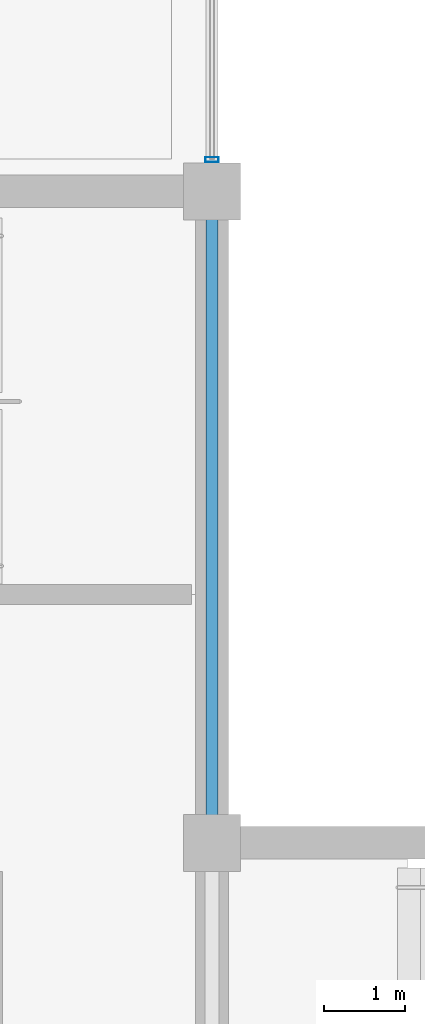
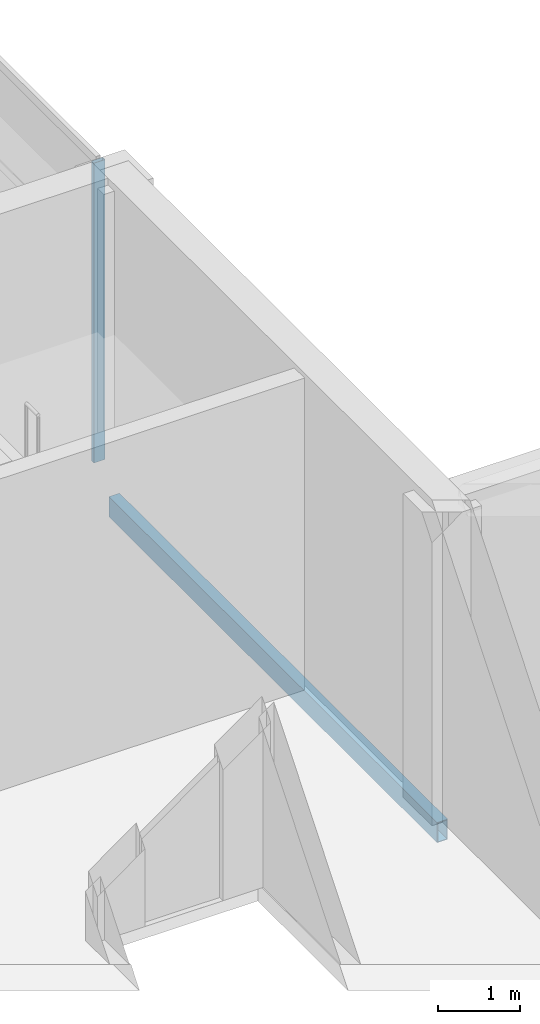
# One storey, part 20 of 112: 1 beam, 1 member, 1 element without a shape of its own.
"""IFC4 building model written with IfcOpenShell, lengths in metres."""

from ifc_helpers import new_model, si_unit, direction, frame, origin, origin_2d, place, context, subcontext, project, spatial, hollow_rectangle, extrude, material, material_profile, profile_set, type_object, element, aggregate, save


model = new_model("IFC4")

# Units and contexts
model_context = context("Model", 3, precision=1e-05, world=origin(), true_north=direction((0.0, 1.0)))
body_context = subcontext(model_context, "Body", "Model", "MODEL_VIEW")
ifc_project = project(units=[si_unit("LENGTHUNIT", "METRE"), si_unit("AREAUNIT", "SQUARE_METRE"), si_unit("VOLUMEUNIT", "CUBIC_METRE"), si_unit("PLANEANGLEUNIT", "RADIAN"), si_unit("MASSUNIT", "GRAM", prefix="KILO")], contexts=[model_context])

# Site, building, storey
site_placement = place(None, origin())
site = spatial("IfcSite", under=ifc_project, at=site_placement, CompositionType="ELEMENT")
building_placement = place(site_placement, origin())
building = spatial("IfcBuilding", under=site, at=building_placement, Name="Solvikara Media Centre", CompositionType="ELEMENT")
storey_placement = place(building_placement, frame((0.0, 0.0, 5.39990234375)))
storey = spatial("IfcBuildingStorey", under=building, at=storey_placement, Name="L01", CompositionType="ELEMENT", Elevation=5.39990234375)

# Beam
ifc_material_1 = material(Name="Steel S355JR", Category="steel")
ifc_material_profile_1 = material_profile(ifc_material_1, hollow_rectangle(XDim=0.14990234375, YDim=0.300048828125, WallThickness=0.010009765625, at=origin_2d()), Name="RHS 300x150x10")
ifc_profile_set_1 = profile_set([ifc_material_profile_1], Name="Steel S355JR")
beam_type = type_object("IfcBeamType", Name="BM-35", PredefinedType="BEAM", material=ifc_profile_set_1)
beam_placement = place(storey_placement, frame((34.0, 36.800048828125, -0.411865234375), z_axis=(0.0, 1.0, 0.0), x_axis=(-1.0, 0.0, 0.0)))
element("IfcBeam", 1, at=beam_placement, inside=storey, type_object=beam_type, Name="B-L01-Y0575", PredefinedType="BEAM", context=body_context, shape_type="SweptSolid", body=[
    extrude(hollow_rectangle(XDim=0.14990234375, YDim=0.300048828125, WallThickness=0.010009765625, at=origin_2d()), origin(), (0.0, 0.0, 1.0), 8.0),
])

# Curtain wall, member
ifc_material_2 = material(Name="Anodised aluminium EN AW-6063", Category="aluminium")
curtain_wall_type = type_object("IfcCurtainWallType", Name="CW-07", PredefinedType="NOTDEFINED", material=ifc_material_2)
curtain_wall_placement = place(storey_placement, origin())
curtain_wall = element("IfcCurtainWall", 2, at=curtain_wall_placement, inside=storey, type_object=curtain_wall_type, Name="CW-L01-V4E-S1", PredefinedType="NOTDEFINED")
ifc_material_profile_2 = material_profile(ifc_material_2, hollow_rectangle(XDim=0.06005859375, YDim=0.159912109375, WallThickness=0.00341796875, at=origin_2d()), Name="ALU-M 60x160x3.5")
ifc_profile_set_2 = profile_set([ifc_material_profile_2], Name="Anodised aluminium EN AW-6063")
member_type = type_object("IfcMemberType", Name="MF-04", PredefinedType="MULLION", material=ifc_profile_set_2)
member_placement = place(storey_placement, frame((34.0, 45.18994140625, 0.02001953125), z_axis=(0.0, 0.0, 1.0), x_axis=(0.0, 1.0, 0.0)))
member = element("IfcMember", 3, at=member_placement, type_object=member_type, Name="CW-L01-V4E-S1-M00", PredefinedType="MULLION", context=body_context, shape_type="SweptSolid", body=[
    extrude(hollow_rectangle(XDim=0.06005859375, YDim=0.159912109375, WallThickness=0.00341796875, at=origin_2d()), origin(), (0.0, 0.0, 1.0), 4.4599609375),
])
aggregate(curtain_wall, [member])

save(model, "model.ifc")
